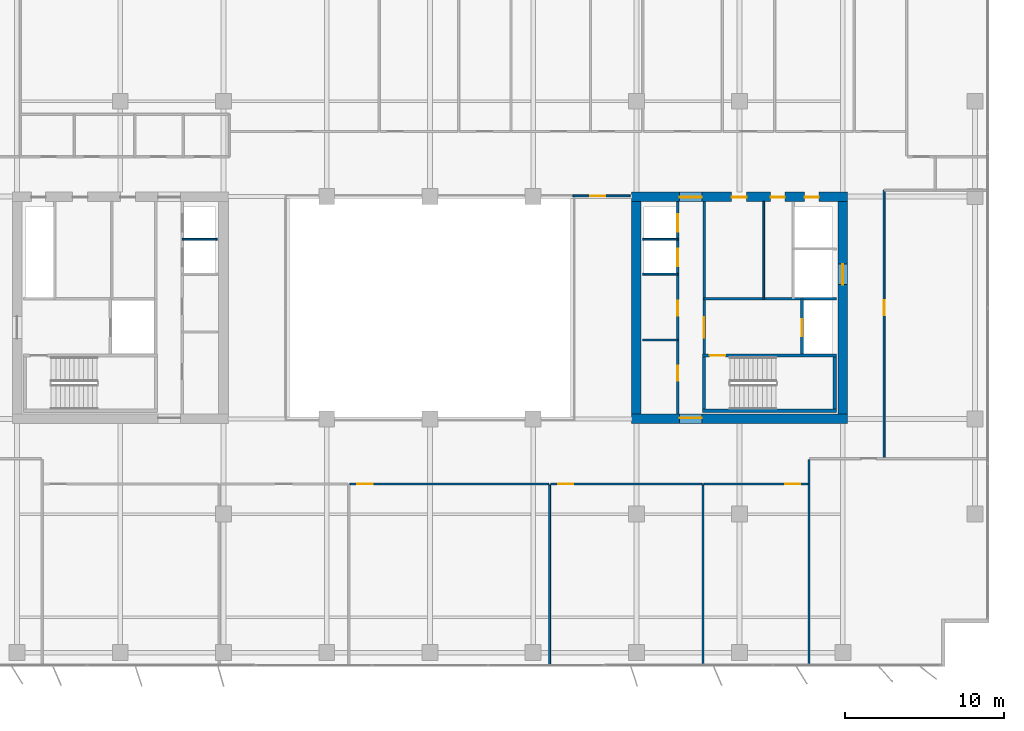
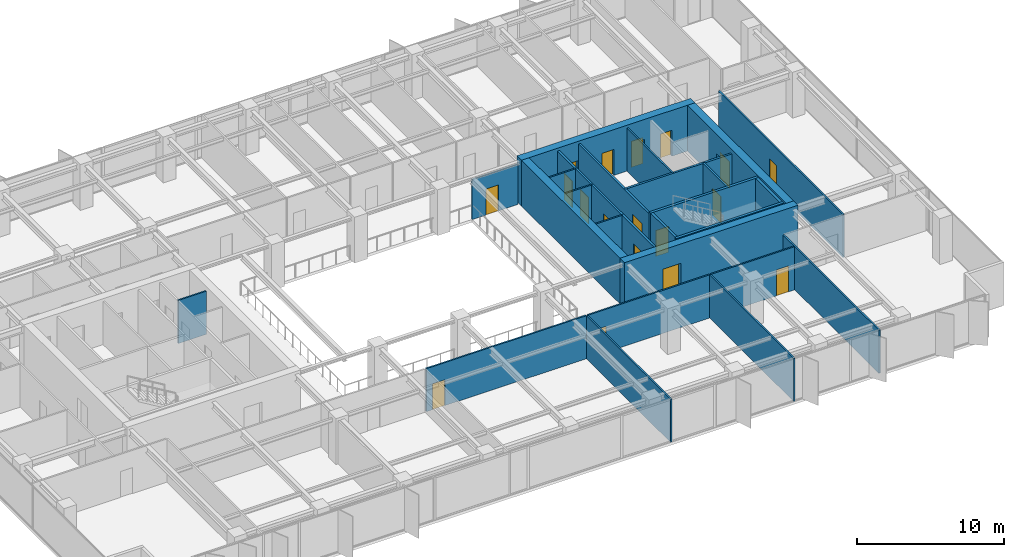
# One storey, part 16 of 22: 25 walls, 18 doors, 18 openings.
"""IFC4 building model written with IfcOpenShell, lengths in metres."""

from ifc_helpers import new_model, si_unit, direction, frame, frame_2d, origin, place, context, subcontext, project, spatial, rectangle, extrude, material, layer, layer_set, type_object, element, fill, save


model = new_model("IFC4")

# Units and contexts
model_context = context("Model", 3, precision=1e-05, world=origin(), true_north=direction((0.0, 1.0)))
body_context = subcontext(model_context, "Body", "Model", "MODEL_VIEW")
ifc_project = project(units=[si_unit("LENGTHUNIT", "METRE"), si_unit("AREAUNIT", "SQUARE_METRE"), si_unit("VOLUMEUNIT", "CUBIC_METRE"), si_unit("PLANEANGLEUNIT", "RADIAN"), si_unit("MASSUNIT", "GRAM", prefix="KILO")], contexts=[model_context])

# Site, building, storey
site_placement = place(None, origin())
site = spatial("IfcSite", under=ifc_project, at=site_placement, CompositionType="ELEMENT")
building_placement = place(site_placement, origin())
building = spatial("IfcBuilding", under=site, at=building_placement, Name="Putna Gate Headquarters", CompositionType="ELEMENT")
storey_placement = place(building_placement, frame((0.0, 0.0, 189.800048828125)))
storey = spatial("IfcBuildingStorey", under=building, at=storey_placement, Name="L47", CompositionType="ELEMENT", Elevation=189.800048828125)

# Wall, opening, door
ifc_material_1 = material(Name="Concrete C50/60", Category="concrete")
ifc_layer_1 = layer(ifc_material_1, 0.60009765625)
ifc_layer_set_1 = layer_set([ifc_layer_1], Name="Concrete C50/60")
wall_type_1 = type_object("IfcWallType", Name="WALL-CORE-600", PredefinedType="SHEAR", material=ifc_layer_set_1)
wall_1_placement = place(storey_placement, frame((51.699951171875, 19.0, 0.0), z_axis=(0.0, 0.0, 1.0), x_axis=(1.0, 0.0, 0.0)))
wall_1 = element("IfcWall", 1, at=wall_1_placement, inside=storey, type_object=wall_type_1, Name="L47 EC Split Core Shear Wall S", PredefinedType="SHEAR", context=body_context, shape_type="SweptSolid", body=[
    extrude(rectangle(XDim=13.60009765625, YDim=0.60009765625, at=frame_2d((6.800048828125, 0.0))), origin(), (0.0, 0.0, 1.0), 3.800048828125),
])
opening_1_placement = place(wall_1_placement, frame((3.02001953125, 0.0, 0.0)))
opening_1 = element("IfcOpeningElement", 2, at=opening_1_placement, cuts=wall_1, Name="Opening FDD-140", PredefinedType="OPENING", context=body_context, shape_type="SweptSolid", body=[
    extrude(rectangle(XDim=1.39990234375, YDim=2.199951171875, at=frame_2d((0.699951171875, 1.10009765625))), frame((0.0, 0.31005859375, 0.0), z_axis=(0.0, -1.0, 0.0), x_axis=(1.0, 0.0, 0.0)), (0.0, 0.0, 1.0), 0.6201171875),
])
ifc_material_2 = material(Name="Double steel fire door", Category="steel")
door_type_1 = type_object("IfcDoorType", Name="DOOR-FIRE-DBL-1400", OperationType="DOUBLE_DOOR_SINGLE_SWING", PredefinedType="DOOR", material=ifc_material_2)
door_1_placement = place(opening_1_placement, origin())
door_1 = element("IfcDoor", 3, at=door_1_placement, inside=storey, type_object=door_type_1, Name="L47 East Lift Lobby South Door", OperationType="DOUBLE_DOOR_SINGLE_SWING", OverallHeight=2.199951171875, OverallWidth=1.39990234375, PredefinedType="DOOR", context=body_context, shape_type="SweptSolid", body=[
    extrude(rectangle(XDim=1.39990234375, YDim=2.199951171875, at=frame_2d((0.699951171875, 1.10009765625))), frame((0.0, 0.0751953125, 0.0), z_axis=(0.0, -1.0, 0.0), x_axis=(1.0, 0.0, 0.0)), (0.0, 0.0, 1.0), 0.050048828125),
])
fill(opening_1, door_1)

# Wall, openings, doors
wall_2_placement = place(storey_placement, frame((51.699951171875, 33.0, 0.0), z_axis=(0.0, 0.0, 1.0), x_axis=(1.0, 0.0, 0.0)))
wall_2 = element("IfcWall", 4, at=wall_2_placement, inside=storey, type_object=wall_type_1, Name="L47 EC Split Core Shear Wall N", PredefinedType="SHEAR", context=body_context, shape_type="SweptSolid", body=[
    extrude(rectangle(XDim=13.60009765625, YDim=0.60009765625, at=frame_2d((6.800048828125, 0.0))), origin(), (0.0, 0.0, 1.0), 3.800048828125),
])
opening_2_placement = place(wall_2_placement, frame((3.02001953125, 0.0, 0.0)))
opening_2 = element("IfcOpeningElement", 5, at=opening_2_placement, cuts=wall_2, Name="Opening FDD-140", PredefinedType="OPENING", context=body_context, shape_type="SweptSolid", body=[
    extrude(rectangle(XDim=1.39990234375, YDim=2.199951171875, at=frame_2d((0.699951171875, 1.10009765625))), frame((0.0, 0.31005859375, 0.0), z_axis=(0.0, -1.0, 0.0), x_axis=(1.0, 0.0, 0.0)), (0.0, 0.0, 1.0), 0.6201171875),
])
opening_3_placement = place(wall_2_placement, frame((10.89990234375, 0.0, 0.0)))
opening_3 = element("IfcOpeningElement", 6, at=opening_3_placement, cuts=wall_2, Name="Opening RD-90", PredefinedType="OPENING", context=body_context, shape_type="SweptSolid", body=[
    extrude(rectangle(XDim=0.89990234375, YDim=2.14990234375, at=frame_2d((0.449951171875, 1.074951171875))), frame((0.0, 0.31005859375, 0.0), z_axis=(0.0, -1.0, 0.0), x_axis=(1.0, 0.0, 0.0)), (0.0, 0.0, 1.0), 0.6201171875),
])
opening_4_placement = place(wall_2_placement, frame((6.300048828125, 0.0, 0.0)))
opening_4 = element("IfcOpeningElement", 7, at=opening_4_placement, cuts=wall_2, Name="Opening IDS-95", PredefinedType="OPENING", context=body_context, shape_type="SweptSolid", body=[
    extrude(rectangle(XDim=0.949951171875, YDim=2.14990234375, at=frame_2d((0.47509765625, 1.074951171875))), frame((0.0, 0.31005859375, 0.0), z_axis=(0.0, -1.0, 0.0), x_axis=(1.0, 0.0, 0.0)), (0.0, 0.0, 1.0), 0.6201171875),
])
opening_5_placement = place(wall_2_placement, frame((8.75, 0.0, 0.0)))
opening_5 = element("IfcOpeningElement", 8, at=opening_5_placement, cuts=wall_2, Name="Opening IDS-90", PredefinedType="OPENING", context=body_context, shape_type="SweptSolid", body=[
    extrude(rectangle(XDim=0.89990234375, YDim=2.14990234375, at=frame_2d((0.449951171875, 1.074951171875))), frame((0.0, 0.31005859375, 0.0), z_axis=(0.0, -1.0, 0.0), x_axis=(1.0, 0.0, 0.0)), (0.0, 0.0, 1.0), 0.6201171875),
])
door_2_placement = place(opening_2_placement, origin())
door_2 = element("IfcDoor", 9, at=door_2_placement, inside=storey, type_object=door_type_1, Name="L47 East Lift Lobby North Door", OperationType="DOUBLE_DOOR_SINGLE_SWING", OverallHeight=2.199951171875, OverallWidth=1.39990234375, PredefinedType="DOOR", context=body_context, shape_type="SweptSolid", body=[
    extrude(rectangle(XDim=1.39990234375, YDim=2.199951171875, at=frame_2d((0.699951171875, 1.10009765625))), frame((0.0, -0.02490234375, 0.0), z_axis=(0.0, -1.0, 0.0), x_axis=(1.0, 0.0, 0.0)), (0.0, 0.0, 1.0), 0.050048828125),
])
fill(opening_2, door_2)
ifc_material_3 = material(Name="Fire-rated utility door")
door_type_2 = type_object("IfcDoorType", Name="DOOR-INT-900", OperationType="NOTDEFINED", PredefinedType="DOOR", material=ifc_material_3)
door_3_placement = place(opening_5_placement, origin())
door_3 = element("IfcDoor", 10, at=door_3_placement, inside=storey, type_object=door_type_2, Name="L47 Electrical Plant Door", OperationType="SINGLE_SWING_LEFT", OverallHeight=2.14990234375, OverallWidth=0.89990234375, PredefinedType="DOOR", context=body_context, shape_type="SweptSolid", body=[
    extrude(rectangle(XDim=0.89990234375, YDim=2.14990234375, at=frame_2d((0.449951171875, 1.074951171875))), frame((0.0, -0.02490234375, 0.0), z_axis=(0.0, -1.0, 0.0), x_axis=(1.0, 0.0, 0.0)), (0.0, 0.0, 1.0), 0.050048828125),
])
fill(opening_5, door_3)
ifc_material_4 = material(Name="Fire-rated service timber door", Category="wood")
door_type_3 = type_object("IfcDoorType", Name="DOOR-INT-950", OperationType="NOTDEFINED", PredefinedType="DOOR", material=ifc_material_4)
door_4_placement = place(opening_4_placement, origin())
door_4 = element("IfcDoor", 11, at=door_4_placement, inside=storey, type_object=door_type_3, Name="L47 East Store Door", OperationType="SINGLE_SWING_RIGHT", OverallHeight=2.14990234375, OverallWidth=0.949951171875, PredefinedType="DOOR", context=body_context, shape_type="SweptSolid", body=[
    extrude(rectangle(XDim=0.949951171875, YDim=2.14990234375, at=frame_2d((0.47509765625, 1.074951171875))), frame((0.0, -0.02490234375, 0.0), z_axis=(0.0, -1.0, 0.0), x_axis=(1.0, 0.0, 0.0)), (0.0, 0.0, 1.0), 0.050048828125),
])
fill(opening_4, door_4)
ifc_material_5 = material(Name="Steel riser access fire door", Category="steel")
door_type_4 = type_object("IfcDoorType", Name="DOOR-RISER-900", OperationType="NOTDEFINED", PredefinedType="DOOR", material=ifc_material_5)
door_5_placement = place(opening_3_placement, origin())
door_5 = element("IfcDoor", 12, at=door_5_placement, inside=storey, type_object=door_type_4, Name="L47 East Riser Access Door", OperationType="SINGLE_SWING_LEFT", OverallHeight=2.14990234375, OverallWidth=0.89990234375, PredefinedType="DOOR", context=body_context, shape_type="SweptSolid", body=[
    extrude(rectangle(XDim=0.89990234375, YDim=2.14990234375, at=frame_2d((0.449951171875, 1.074951171875))), frame((0.0, -0.02490234375, 0.0), z_axis=(0.0, -1.0, 0.0), x_axis=(1.0, 0.0, 0.0)), (0.0, 0.0, 1.0), 0.050048828125),
])
fill(opening_3, door_5)

# Wall
wall_3_placement = place(storey_placement, frame((52.0, 19.300048828125, 0.0), z_axis=(0.0, 0.0, 1.0), x_axis=(0.0, 1.0, 0.0)))
element("IfcWall", 13, at=wall_3_placement, inside=storey, type_object=wall_type_1, Name="L47 EC Split Core Shear Wall W", PredefinedType="SHEAR", context=body_context, shape_type="SweptSolid", body=[
    extrude(rectangle(XDim=13.39990234375, YDim=0.60009765625, at=frame_2d((6.699951171875, 0.0))), origin(), (0.0, 0.0, 1.0), 3.800048828125),
])

# Wall, opening, door
wall_4_placement = place(storey_placement, frame((65.0, 19.300048828125, 0.0), z_axis=(0.0, 0.0, 1.0), x_axis=(0.0, 1.0, 0.0)))
wall_4 = element("IfcWall", 14, at=wall_4_placement, inside=storey, type_object=wall_type_1, Name="L47 EC Split Core Shear Wall E", PredefinedType="SHEAR", context=body_context, shape_type="SweptSolid", body=[
    extrude(rectangle(XDim=13.39990234375, YDim=0.60009765625, at=frame_2d((6.699951171875, 0.0))), origin(), (0.0, 0.0, 1.0), 3.800048828125),
])
opening_6_placement = place(wall_4_placement, frame((8.14990234375, 0.0, 0.0)))
opening_6 = element("IfcOpeningElement", 15, at=opening_6_placement, cuts=wall_4, Name="Opening LD-2", PredefinedType="OPENING", context=body_context, shape_type="SweptSolid", body=[
    extrude(rectangle(XDim=1.300048828125, YDim=2.199951171875, at=frame_2d((0.64990234375, 1.10009765625))), frame((0.0, 0.31005859375, 0.0), z_axis=(0.0, -1.0, 0.0), x_axis=(1.0, 0.0, 0.0)), (0.0, 0.0, 1.0), 0.6201171875),
])
ifc_material_6 = material(Name="Heavy-duty goods lift sliding landing door")
door_type_5 = type_object("IfcDoorType", Name="DOOR-LIFT-1300", OperationType="DOUBLE_DOOR_SLIDING", PredefinedType="DOOR", material=ifc_material_6)
door_6_placement = place(opening_6_placement, origin())
door_6 = element("IfcDoor", 16, at=door_6_placement, inside=storey, type_object=door_type_5, Name="L47 Goods Lift Landing Door LD-15", OperationType="DOUBLE_DOOR_SLIDING", OverallHeight=2.199951171875, OverallWidth=1.300048828125, PredefinedType="DOOR", context=body_context, shape_type="SweptSolid", body=[
    extrude(rectangle(XDim=1.300048828125, YDim=2.199951171875, at=frame_2d((0.64990234375, 1.10009765625))), frame((0.0, 0.02490234375, 0.0), z_axis=(0.0, -1.0, 0.0), x_axis=(1.0, 0.0, 0.0)), (0.0, 0.0, 1.0), 0.050048828125),
])
fill(opening_6, door_6)

ifc_material_7 = material(Name="Acoustic gypsum board on metal stud")
ifc_layer_2 = layer(ifc_material_7, 0.1201171875)
ifc_layer_set_2 = layer_set([ifc_layer_2], Name="Acoustic gypsum board on metal stud")
wall_type_2 = type_object("IfcWallType", Name="WALL-PART-120", PredefinedType="PARTITIONING", material=ifc_layer_set_2)
wall_5_placement = place(storey_placement, frame((48.0, 33.0400390625, 0.0), z_axis=(0.0, 0.0, 1.0), x_axis=(1.0, 0.0, 0.0)))
wall_5 = element("IfcWall", 17, at=wall_5_placement, inside=storey, type_object=wall_type_2, Name="L47 Interior Wall PART-L47-ATR-E-N", PredefinedType="PARTITIONING", context=body_context, shape_type="SweptSolid", body=[
    extrude(rectangle(XDim=3.60009765625, YDim=0.1201171875, at=frame_2d((1.800048828125, 0.0))), origin(), (0.0, 0.0, 1.0), 3.31201171875),
])
opening_7_placement = place(wall_5_placement, frame((1.10009765625, 0.0, 0.0)))
opening_7 = element("IfcOpeningElement", 18, at=opening_7_placement, cuts=wall_5, Name="Opening ID-95", PredefinedType="OPENING", context=body_context, shape_type="SweptSolid", body=[
    extrude(rectangle(XDim=0.949951171875, YDim=2.14990234375, at=frame_2d((0.47509765625, 1.074951171875))), frame((0.0, 0.070068359375, 0.0), z_axis=(0.0, -1.0, 0.0), x_axis=(1.0, 0.0, 0.0)), (0.0, 0.0, 1.0), 0.14013671875),
])
ifc_material_8 = material(Name="Veneered acoustic timber door", Category="wood")
door_type_6 = type_object("IfcDoorType", Name="DOOR-OFF-950", OperationType="NOTDEFINED", PredefinedType="DOOR", material=ifc_material_8)
door_7_placement = place(opening_7_placement, origin())
door_7 = element("IfcDoor", 19, at=door_7_placement, inside=storey, type_object=door_type_6, Name="L47 East Sky Atrium Lounge Door", OperationType="SINGLE_SWING_LEFT", OverallHeight=2.14990234375, OverallWidth=0.949951171875, PredefinedType="DOOR", context=body_context, shape_type="SweptSolid", body=[
    extrude(rectangle(XDim=0.949951171875, YDim=2.14990234375, at=frame_2d((0.47509765625, 1.074951171875))), frame((0.0, 0.02490234375, 0.0), z_axis=(0.0, -1.0, 0.0), x_axis=(1.0, 0.0, 0.0)), (0.0, 0.0, 1.0), 0.050048828125),
])
fill(opening_7, door_7)

# Walls
for number, where, z_axis, x_axis, name in (
    (20, (46.536376953125, 3.419921875, 0.0), (0.0, 0.0, 1.0), (0.0, 1.0, 0.0), "L47 Interior Wall PART-L47-SB-DIV-04"),
    (21, (56.19482421875, 3.419921875, 0.0), (0.0, 0.0, 1.0), (0.0, 1.0, 0.0), "L47 Interior Wall PART-L47-SB-DIV-05"),
):
    element("IfcWall", number, at=place(storey_placement, frame(where, z_axis=z_axis, x_axis=x_axis)), inside=storey, type_object=wall_type_2, Name=name, PredefinedType="PARTITIONING", context=body_context, shape_type="SweptSolid", body=[
        extrude(rectangle(XDim=11.420166015625, YDim=0.1201171875, at=frame_2d((5.7099609375, 0.0))), origin(), (0.0, 0.0, 1.0), 3.572021484375),
    ])
wall_6_placement = place(storey_placement, frame((62.86962890625, 3.419921875, 0.0), z_axis=(0.0, 0.0, 1.0), x_axis=(0.0, 1.0, 0.0)))
element("IfcWall", 22, at=wall_6_placement, inside=storey, type_object=wall_type_2, Name="L47 Interior Wall PART-L47-SB-DIV-06", PredefinedType="PARTITIONING", context=body_context, shape_type="SweptSolid", body=[
    extrude(rectangle(XDim=13.02001953125, YDim=0.1201171875, at=frame_2d((6.510009765625, 0.0))), origin(), (0.0, 0.0, 1.0), 3.572021484375),
])
ifc_material_9 = material(Name="Fire-rated shaftwall gypsum board on metal stud")
ifc_layer_3 = layer(ifc_material_9, 0.1201171875)
ifc_layer_set_3 = layer_set([ifc_layer_3], Name="Fire-rated shaftwall gypsum board on metal stud")
wall_type_3 = type_object("IfcWallType", Name="WALL-PART-120-EI120", PredefinedType="PARTITIONING", material=ifc_layer_set_3)
for number, where, z_axis, x_axis, name in (
    (23, (23.39990234375, 30.31005859375, 0.0), (0.0, 0.0, 1.0), (1.0, 0.0, 0.0), "L47 Interior Wall CWINT-L47-WC-LF09-DIV"),
    (24, (52.39990234375, 30.31005859375, 0.0), (0.0, 0.0, 1.0), (1.0, 0.0, 0.0), "L47 Interior Wall CWINT-L47-EC-LF11-DIV"),
):
    element("IfcWall", number, at=place(storey_placement, frame(where, z_axis=z_axis, x_axis=x_axis)), inside=storey, type_object=wall_type_3, Name=name, PredefinedType="PARTITIONING", context=body_context, shape_type="SweptSolid", body=[
        extrude(rectangle(XDim=2.2001953125, YDim=0.1201171875, at=frame_2d((1.10009765625, 0.0))), origin(), (0.0, 0.0, 1.0), 3.572021484375),
    ])
ifc_material_10 = material(Name="Fire-rated gypsum board on metal stud")
ifc_layer_4 = layer(ifc_material_10, 0.1201171875)
ifc_layer_set_4 = layer_set([ifc_layer_4], Name="Fire-rated gypsum board on metal stud")
wall_type_4 = type_object("IfcWallType", Name="WALL-PART-120-RATED", PredefinedType="PARTITIONING", material=ifc_layer_set_4)
for number, where, z_axis, x_axis, name in (
    (25, (52.39990234375, 23.969970703125, 0.0), (0.0, 0.0, 1.0), (1.0, 0.0, 0.0), "L47 Interior Wall CWINT-L47-EC-REUSE-DIV"),
    (26, (52.39990234375, 28.1201171875, 0.0), (0.0, 0.0, 1.0), (1.0, 0.0, 0.0), "L47 Interior Wall CWINT-L47-EC-LF08-DIV"),
):
    element("IfcWall", number, at=place(storey_placement, frame(where, z_axis=z_axis, x_axis=x_axis)), inside=storey, type_object=wall_type_4, Name=name, PredefinedType="PARTITIONING", context=body_context, shape_type="SweptSolid", body=[
        extrude(rectangle(XDim=2.2001953125, YDim=0.1201171875, at=frame_2d((1.10009765625, 0.0))), origin(), (0.0, 0.0, 1.0), 3.572021484375),
    ])
wall_7_placement = place(storey_placement, frame((60.02001953125, 26.56005859375, 0.0), z_axis=(0.0, 0.0, 1.0), x_axis=(0.0, 1.0, 0.0)))
element("IfcWall", 27, at=wall_7_placement, inside=storey, type_object=wall_type_4, Name="L47 Interior Wall CWINT-L47-EC-K0-DIV", PredefinedType="PARTITIONING", context=body_context, shape_type="SweptSolid", body=[
    extrude(rectangle(XDim=6.139892578125, YDim=0.1201171875, at=frame_2d((3.06982421875, 0.0))), origin(), (0.0, 0.0, 1.0), 3.572021484375),
])

# Wall, opening, door
wall_8_placement = place(storey_placement, frame((33.9541015625, 14.89990234375, 0.0), z_axis=(0.0, 0.0, 1.0), x_axis=(1.0, 0.0, 0.0)))
wall_8 = element("IfcWall", 28, at=wall_8_placement, inside=storey, type_object=wall_type_4, Name="L47 Interior Wall PART-L47-SB-CW-04", PredefinedType="PARTITIONING", context=body_context, shape_type="SweptSolid", body=[
    extrude(rectangle(XDim=12.522216796875, YDim=0.1201171875, at=frame_2d((6.26123046875, 0.0))), origin(), (0.0, 0.0, 1.0), 3.572021484375),
])
opening_8_placement = place(wall_8_placement, frame((0.47998046875, 0.0, 0.0)))
opening_8 = element("IfcOpeningElement", 29, at=opening_8_placement, cuts=wall_8, Name="Opening FD-95", PredefinedType="OPENING", context=body_context, shape_type="SweptSolid", body=[
    extrude(rectangle(XDim=0.949951171875, YDim=2.14990234375, at=frame_2d((0.47509765625, 1.074951171875))), frame((0.0, 0.070068359375, 0.0), z_axis=(0.0, -1.0, 0.0), x_axis=(1.0, 0.0, 0.0)), (0.0, 0.0, 1.0), 0.14013671875),
])
ifc_material_11 = material(Name="Acoustic timber fire door", Category="wood")
door_type_7 = type_object("IfcDoorType", Name="DOOR-FIRE-950", OperationType="NOTDEFINED", PredefinedType="DOOR", material=ifc_material_11)
door_8_placement = place(opening_8_placement, origin())
door_8 = element("IfcDoor", 30, at=door_8_placement, inside=storey, type_object=door_type_7, Name="L47 Cellular Office 6 Door", OperationType="SINGLE_SWING_RIGHT", OverallHeight=2.14990234375, OverallWidth=0.949951171875, PredefinedType="DOOR", context=body_context, shape_type="SweptSolid", body=[
    extrude(rectangle(XDim=0.949951171875, YDim=2.14990234375, at=frame_2d((0.47509765625, 1.074951171875))), frame((0.0, 0.02490234375, 0.0), z_axis=(0.0, -1.0, 0.0), x_axis=(1.0, 0.0, 0.0)), (0.0, 0.0, 1.0), 0.050048828125),
])
fill(opening_8, door_8)

wall_9_placement = place(storey_placement, frame((46.59619140625, 14.89990234375, 0.0), z_axis=(0.0, 0.0, 1.0), x_axis=(1.0, 0.0, 0.0)))
wall_9 = element("IfcWall", 31, at=wall_9_placement, inside=storey, type_object=wall_type_4, Name="L47 Interior Wall PART-L47-SB-CW-05", PredefinedType="PARTITIONING", context=body_context, shape_type="SweptSolid", body=[
    extrude(rectangle(XDim=9.53857421875, YDim=0.1201171875, at=frame_2d((4.769287109375, 0.0))), origin(), (0.0, 0.0, 1.0), 3.572021484375),
])
opening_9_placement = place(wall_9_placement, frame((0.47998046875, 0.0, 0.0)))
opening_9 = element("IfcOpeningElement", 32, at=opening_9_placement, cuts=wall_9, Name="Opening FD-95", PredefinedType="OPENING", context=body_context, shape_type="SweptSolid", body=[
    extrude(rectangle(XDim=0.949951171875, YDim=2.14990234375, at=frame_2d((0.47509765625, 1.074951171875))), frame((0.0, 0.070068359375, 0.0), z_axis=(0.0, -1.0, 0.0), x_axis=(1.0, 0.0, 0.0)), (0.0, 0.0, 1.0), 0.14013671875),
])
door_9_placement = place(opening_9_placement, origin())
door_9 = element("IfcDoor", 33, at=door_9_placement, inside=storey, type_object=door_type_7, Name="L47 Conference Meeting Room 1 Door", OperationType="SINGLE_SWING_LEFT", OverallHeight=2.14990234375, OverallWidth=0.949951171875, PredefinedType="DOOR", context=body_context, shape_type="SweptSolid", body=[
    extrude(rectangle(XDim=0.949951171875, YDim=2.14990234375, at=frame_2d((0.47509765625, 1.074951171875))), frame((0.0, 0.02490234375, 0.0), z_axis=(0.0, -1.0, 0.0), x_axis=(1.0, 0.0, 0.0)), (0.0, 0.0, 1.0), 0.050048828125),
])
fill(opening_9, door_9)

wall_10_placement = place(storey_placement, frame((56.2548828125, 14.89990234375, 0.0), z_axis=(0.0, 0.0, 1.0), x_axis=(1.0, 0.0, 0.0)))
wall_10 = element("IfcWall", 34, at=wall_10_placement, inside=storey, type_object=wall_type_4, Name="L47 Interior Wall PART-L47-SB-CW-06", PredefinedType="PARTITIONING", context=body_context, shape_type="SweptSolid", body=[
    extrude(rectangle(XDim=6.5546875, YDim=0.1201171875, at=frame_2d((3.27734375, 0.0))), origin(), (0.0, 0.0, 1.0), 3.572021484375),
])
opening_10_placement = place(wall_10_placement, frame((5.124755859375, 0.0, 0.0)))
opening_10 = element("IfcOpeningElement", 35, at=opening_10_placement, cuts=wall_10, Name="Opening FD-95", PredefinedType="OPENING", context=body_context, shape_type="SweptSolid", body=[
    extrude(rectangle(XDim=0.949951171875, YDim=2.14990234375, at=frame_2d((0.47509765625, 1.074951171875))), frame((0.0, 0.070068359375, 0.0), z_axis=(0.0, -1.0, 0.0), x_axis=(1.0, 0.0, 0.0)), (0.0, 0.0, 1.0), 0.14013671875),
])
door_10_placement = place(opening_10_placement, origin())
door_10 = element("IfcDoor", 36, at=door_10_placement, inside=storey, type_object=door_type_7, Name="L47 Conference Meeting Room 2 Door", OperationType="SINGLE_SWING_RIGHT", OverallHeight=2.14990234375, OverallWidth=0.949951171875, PredefinedType="DOOR", context=body_context, shape_type="SweptSolid", body=[
    extrude(rectangle(XDim=0.949951171875, YDim=2.14990234375, at=frame_2d((0.47509765625, 1.074951171875))), frame((0.0, 0.02490234375, 0.0), z_axis=(0.0, -1.0, 0.0), x_axis=(1.0, 0.0, 0.0)), (0.0, 0.0, 1.0), 0.050048828125),
])
fill(opening_10, door_10)

wall_11_placement = place(storey_placement, frame((67.60009765625, 16.5, 0.0), z_axis=(0.0, 0.0, 1.0), x_axis=(0.0, 1.0, 0.0)))
wall_11 = element("IfcWall", 37, at=wall_11_placement, inside=storey, type_object=wall_type_4, Name="L47 Interior Wall PART-L47-EW-CW-1", PredefinedType="PARTITIONING", context=body_context, shape_type="SweptSolid", body=[
    extrude(rectangle(XDim=16.89990234375, YDim=0.1201171875, at=frame_2d((8.449951171875, 0.0))), origin(), (0.0, 0.0, 1.0), 3.572021484375),
])
opening_11_placement = place(wall_11_placement, frame((9.02490234375, 0.0, 0.0)))
opening_11 = element("IfcOpeningElement", 38, at=opening_11_placement, cuts=wall_11, Name="Opening FD-95", PredefinedType="OPENING", context=body_context, shape_type="SweptSolid", body=[
    extrude(rectangle(XDim=0.949951171875, YDim=2.14990234375, at=frame_2d((0.47509765625, 1.074951171875))), frame((0.0, 0.070068359375, 0.0), z_axis=(0.0, -1.0, 0.0), x_axis=(1.0, 0.0, 0.0)), (0.0, 0.0, 1.0), 0.14013671875),
])
door_11_placement = place(opening_11_placement, origin())
door_11 = element("IfcDoor", 39, at=door_11_placement, inside=storey, type_object=door_type_7, Name="L47 East Horizon Conference Room 1 Door", OperationType="SINGLE_SWING_LEFT", OverallHeight=2.14990234375, OverallWidth=0.949951171875, PredefinedType="DOOR", context=body_context, shape_type="SweptSolid", body=[
    extrude(rectangle(XDim=0.949951171875, YDim=2.14990234375, at=frame_2d((0.47509765625, 1.074951171875))), frame((0.0, 0.02490234375, 0.0), z_axis=(0.0, -1.0, 0.0), x_axis=(1.0, 0.0, 0.0)), (0.0, 0.0, 1.0), 0.050048828125),
])
fill(opening_11, door_11)

# Wall, openings, doors
ifc_material_12 = material(Name="Concrete C40/50", Category="concrete")
ifc_layer_5 = layer(ifc_material_12, 0.159912109375)
ifc_layer_set_5 = layer_set([ifc_layer_5], Name="Concrete C40/50")
wall_type_5 = type_object("IfcWallType", Name="WALL-SHAFT-160", PredefinedType="STANDARD", material=ifc_layer_set_5)
wall_12_placement = place(storey_placement, frame((54.60009765625, 19.300048828125, 0.0), z_axis=(0.0, 0.0, 1.0), x_axis=(0.0, 1.0, 0.0)))
wall_12 = element("IfcWall", 40, at=wall_12_placement, inside=storey, type_object=wall_type_5, Name="L47 Interior Wall CWINT-L47-EC-PL-WALL", PredefinedType="STANDARD", context=body_context, shape_type="SweptSolid", body=[
    extrude(rectangle(XDim=13.39990234375, YDim=0.159912109375, at=frame_2d((6.699951171875, 0.0))), origin(), (0.0, 0.0, 1.0), 3.572021484375),
])
opening_12_placement = place(wall_12_placement, frame((2.10009765625, 0.0, 0.0)))
opening_12 = element("IfcOpeningElement", 41, at=opening_12_placement, cuts=wall_12, Name="Opening IDS-95", PredefinedType="OPENING", context=body_context, shape_type="SweptSolid", body=[
    extrude(rectangle(XDim=0.949951171875, YDim=2.14990234375, at=frame_2d((0.47509765625, 1.074951171875))), frame((0.0, 0.08984375, 0.0), z_axis=(0.0, -1.0, 0.0), x_axis=(1.0, 0.0, 0.0)), (0.0, 0.0, 1.0), 0.179931640625),
])
opening_13_placement = place(wall_12_placement, frame((6.199951171875, 0.0, 0.0)))
opening_13 = element("IfcOpeningElement", 42, at=opening_13_placement, cuts=wall_12, Name="Opening IDS-95", PredefinedType="OPENING", context=body_context, shape_type="SweptSolid", body=[
    extrude(rectangle(XDim=0.949951171875, YDim=2.14990234375, at=frame_2d((0.47509765625, 1.074951171875))), frame((0.0, 0.08984375, 0.0), z_axis=(0.0, -1.0, 0.0), x_axis=(1.0, 0.0, 0.0)), (0.0, 0.0, 1.0), 0.179931640625),
])
opening_14_placement = place(wall_12_placement, frame((9.300048828125, 0.0, 0.0)))
opening_14 = element("IfcOpeningElement", 43, at=opening_14_placement, cuts=wall_12, Name="Opening LD-1", PredefinedType="OPENING", context=body_context, shape_type="SweptSolid", body=[
    extrude(rectangle(XDim=1.10009765625, YDim=2.199951171875, at=frame_2d((0.550048828125, 1.10009765625))), frame((0.0, 0.08984375, 0.0), z_axis=(0.0, -1.0, 0.0), x_axis=(1.0, 0.0, 0.0)), (0.0, 0.0, 1.0), 0.179931640625),
])
opening_15_placement = place(wall_12_placement, frame((11.5, 0.0, 0.0)))
opening_15 = element("IfcOpeningElement", 44, at=opening_15_placement, cuts=wall_12, Name="Opening LD-1", PredefinedType="OPENING", context=body_context, shape_type="SweptSolid", body=[
    extrude(rectangle(XDim=1.10009765625, YDim=2.199951171875, at=frame_2d((0.550048828125, 1.10009765625))), frame((0.0, 0.08984375, 0.0), z_axis=(0.0, -1.0, 0.0), x_axis=(1.0, 0.0, 0.0)), (0.0, 0.0, 1.0), 0.179931640625),
])
door_12_placement = place(opening_12_placement, origin())
door_12 = element("IfcDoor", 45, at=door_12_placement, inside=storey, type_object=door_type_3, Name="L47 Executive Archive Door", OperationType="SINGLE_SWING_RIGHT", OverallHeight=2.14990234375, OverallWidth=0.949951171875, PredefinedType="DOOR", context=body_context, shape_type="SweptSolid", body=[
    extrude(rectangle(XDim=0.949951171875, YDim=2.14990234375, at=frame_2d((0.47509765625, 1.074951171875))), frame((0.0, 0.02490234375, 0.0), z_axis=(0.0, -1.0, 0.0), x_axis=(1.0, 0.0, 0.0)), (0.0, 0.0, 1.0), 0.050048828125),
])
fill(opening_12, door_12)
door_13_placement = place(opening_13_placement, origin())
door_13 = element("IfcDoor", 46, at=door_13_placement, inside=storey, type_object=door_type_3, Name="L47 Comms Distribution Door", OperationType="SINGLE_SWING_LEFT", OverallHeight=2.14990234375, OverallWidth=0.949951171875, PredefinedType="DOOR", context=body_context, shape_type="SweptSolid", body=[
    extrude(rectangle(XDim=0.949951171875, YDim=2.14990234375, at=frame_2d((0.47509765625, 1.074951171875))), frame((0.0, 0.02490234375, 0.0), z_axis=(0.0, -1.0, 0.0), x_axis=(1.0, 0.0, 0.0)), (0.0, 0.0, 1.0), 0.050048828125),
])
fill(opening_13, door_13)
ifc_material_13 = material(Name="Brushed bronze stainless lift landing door")
door_type_8 = type_object("IfcDoorType", Name="DOOR-LIFT-1100", OperationType="DOUBLE_DOOR_SLIDING", PredefinedType="DOOR", material=ifc_material_13)
door_14_placement = place(opening_14_placement, origin())
door_14 = element("IfcDoor", 47, at=door_14_placement, inside=storey, type_object=door_type_8, Name="L47 Lift Landing Door LD-11", OperationType="DOUBLE_DOOR_SLIDING", OverallHeight=2.199951171875, OverallWidth=1.10009765625, PredefinedType="DOOR", context=body_context, shape_type="SweptSolid", body=[
    extrude(rectangle(XDim=1.10009765625, YDim=2.199951171875, at=frame_2d((0.550048828125, 1.10009765625))), frame((0.0, 0.02490234375, 0.0), z_axis=(0.0, -1.0, 0.0), x_axis=(1.0, 0.0, 0.0)), (0.0, 0.0, 1.0), 0.050048828125),
])
fill(opening_14, door_14)
door_15_placement = place(opening_15_placement, origin())
door_15 = element("IfcDoor", 48, at=door_15_placement, inside=storey, type_object=door_type_8, Name="L47 Lift Landing Door LD-12", OperationType="DOUBLE_DOOR_SLIDING", OverallHeight=2.199951171875, OverallWidth=1.10009765625, PredefinedType="DOOR", context=body_context, shape_type="SweptSolid", body=[
    extrude(rectangle(XDim=1.10009765625, YDim=2.199951171875, at=frame_2d((0.550048828125, 1.10009765625))), frame((0.0, 0.02490234375, 0.0), z_axis=(0.0, -1.0, 0.0), x_axis=(1.0, 0.0, 0.0)), (0.0, 0.0, 1.0), 0.050048828125),
])
fill(opening_15, door_15)

# Wall, opening, door
wall_13_placement = place(storey_placement, frame((56.260009765625, 23.090087890625, 0.0), z_axis=(0.0, 0.0, 1.0), x_axis=(0.0, 1.0, 0.0)))
wall_13 = element("IfcWall", 49, at=wall_13_placement, inside=storey, type_object=wall_type_5, Name="L47 Interior Wall CWINT-L47-EC-LOB-E", PredefinedType="STANDARD", context=body_context, shape_type="SweptSolid", body=[
    extrude(rectangle(XDim=9.60986328125, YDim=0.159912109375, at=frame_2d((4.804931640625, 0.0))), origin(), (0.0, 0.0, 1.0), 3.572021484375),
])
opening_16_placement = place(wall_13_placement, frame((1.010009765625, 0.0, 0.0)))
opening_16 = element("IfcOpeningElement", 50, at=opening_16_placement, cuts=wall_13, Name="Opening FDD-130", PredefinedType="OPENING", context=body_context, shape_type="SweptSolid", body=[
    extrude(rectangle(XDim=1.300048828125, YDim=2.199951171875, at=frame_2d((0.64990234375, 1.10009765625))), frame((0.0, 0.08984375, 0.0), z_axis=(0.0, -1.0, 0.0), x_axis=(1.0, 0.0, 0.0)), (0.0, 0.0, 1.0), 0.179931640625),
])
ifc_material_14 = material(Name="Double steel lobby fire door", Category="steel")
door_type_9 = type_object("IfcDoorType", Name="DOOR-FIRE-DBL-1300", OperationType="DOUBLE_DOOR_SINGLE_SWING", PredefinedType="DOOR", material=ifc_material_14)
door_16_placement = place(opening_16_placement, origin())
door_16 = element("IfcDoor", 51, at=door_16_placement, inside=storey, type_object=door_type_9, Name="L47 East Firefighting Lobby Door", OperationType="DOUBLE_DOOR_SINGLE_SWING", OverallHeight=2.199951171875, OverallWidth=1.300048828125, PredefinedType="DOOR", context=body_context, shape_type="SweptSolid", body=[
    extrude(rectangle(XDim=1.300048828125, YDim=2.199951171875, at=frame_2d((0.64990234375, 1.10009765625))), frame((0.0, 0.02490234375, 0.0), z_axis=(0.0, -1.0, 0.0), x_axis=(1.0, 0.0, 0.0)), (0.0, 0.0, 1.0), 0.050048828125),
])
fill(opening_16, door_16)

wall_14_placement = place(storey_placement, frame((62.429931640625, 23.090087890625, 0.0), z_axis=(0.0, 0.0, 1.0), x_axis=(0.0, 1.0, 0.0)))
wall_14 = element("IfcWall", 52, at=wall_14_placement, inside=storey, type_object=wall_type_5, Name="L47 Interior Wall CWINT-L47-EC-LF14-W", PredefinedType="STANDARD", context=body_context, shape_type="SweptSolid", body=[
    extrude(rectangle(XDim=3.469970703125, YDim=0.159912109375, at=frame_2d((1.73486328125, 0.0))), origin(), (0.0, 0.0, 1.0), 3.572021484375),
])
opening_17_placement = place(wall_14_placement, frame((1.10009765625, 0.0, 0.0)))
opening_17 = element("IfcOpeningElement", 53, at=opening_17_placement, cuts=wall_14, Name="Opening LD-1", PredefinedType="OPENING", context=body_context, shape_type="SweptSolid", body=[
    extrude(rectangle(XDim=1.10009765625, YDim=2.199951171875, at=frame_2d((0.550048828125, 1.10009765625))), frame((0.0, 0.08984375, 0.0), z_axis=(0.0, -1.0, 0.0), x_axis=(1.0, 0.0, 0.0)), (0.0, 0.0, 1.0), 0.179931640625),
])
door_17_placement = place(opening_17_placement, origin())
door_17 = element("IfcDoor", 54, at=door_17_placement, inside=storey, type_object=door_type_8, Name="L47 Lift Landing Door LD-14", OperationType="DOUBLE_DOOR_SLIDING", OverallHeight=2.199951171875, OverallWidth=1.10009765625, PredefinedType="DOOR", context=body_context, shape_type="SweptSolid", body=[
    extrude(rectangle(XDim=1.10009765625, YDim=2.199951171875, at=frame_2d((0.550048828125, 1.10009765625))), frame((0.0, 0.02490234375, 0.0), z_axis=(0.0, -1.0, 0.0), x_axis=(1.0, 0.0, 0.0)), (0.0, 0.0, 1.0), 0.050048828125),
])
fill(opening_17, door_17)

# Walls
wall_15_placement = place(storey_placement, frame((56.260009765625, 26.56005859375, 0.0), z_axis=(0.0, 0.0, 1.0), x_axis=(1.0, 0.0, 0.0)))
element("IfcWall", 55, at=wall_15_placement, inside=storey, type_object=wall_type_5, Name="L47 Interior Wall CWINT-L47-EC-FFL-N", PredefinedType="STANDARD", context=body_context, shape_type="SweptSolid", body=[
    extrude(rectangle(XDim=8.340087890625, YDim=0.159912109375, at=frame_2d((4.169921875, 0.0))), origin(), (0.0, 0.0, 1.0), 3.572021484375),
])
ifc_layer_6 = layer(ifc_material_12, 0.199951171875)
ifc_layer_set_6 = layer_set([ifc_layer_6], Name="Concrete C40/50")
wall_type_6 = type_object("IfcWallType", Name="WALL-SHAFT-RC200", PredefinedType="SHEAR", material=ifc_layer_set_6)
wall_16_placement = place(storey_placement, frame((56.159912109375, 19.510009765625, 0.0), z_axis=(0.0, 0.0, 1.0), x_axis=(1.0, 0.0, 0.0)))
element("IfcWall", 56, at=wall_16_placement, inside=storey, type_object=wall_type_6, Name="L47 Stair ST2 Structural Shaft Wall S", PredefinedType="SHEAR", context=body_context, shape_type="SweptSolid", body=[
    extrude(rectangle(XDim=8.43017578125, YDim=0.199951171875, at=frame_2d((4.215087890625, 0.0))), origin(), (0.0, 0.0, 1.0), 3.800048828125),
])

# Wall, opening, door
wall_17_placement = place(storey_placement, frame((56.159912109375, 22.989990234375, 0.0), z_axis=(0.0, 0.0, 1.0), x_axis=(1.0, 0.0, 0.0)))
wall_17 = element("IfcWall", 57, at=wall_17_placement, inside=storey, type_object=wall_type_6, Name="L47 Stair ST2 Structural Shaft Wall N", PredefinedType="SHEAR", context=body_context, shape_type="SweptSolid", body=[
    extrude(rectangle(XDim=8.43017578125, YDim=0.199951171875, at=frame_2d((4.215087890625, 0.0))), origin(), (0.0, 0.0, 1.0), 3.800048828125),
])
opening_18_placement = place(wall_17_placement, frame((0.449951171875, 0.0, 0.0)))
opening_18 = element("IfcOpeningElement", 58, at=opening_18_placement, cuts=wall_17, Name="Opening FD-100", PredefinedType="OPENING", context=body_context, shape_type="SweptSolid", body=[
    extrude(rectangle(XDim=1.0, YDim=2.14990234375, at=frame_2d((0.5, 1.074951171875))), frame((0.0, 0.10986328125, 0.0), z_axis=(0.0, -1.0, 0.0), x_axis=(1.0, 0.0, 0.0)), (0.0, 0.0, 1.0), 0.219970703125),
])
ifc_material_15 = material(Name="Powder-coated steel fire door", Category="steel")
door_type_10 = type_object("IfcDoorType", Name="DOOR-FIRE-1000", OperationType="NOTDEFINED", PredefinedType="DOOR", material=ifc_material_15)
door_18_placement = place(opening_18_placement, origin())
door_18 = element("IfcDoor", 59, at=door_18_placement, inside=storey, type_object=door_type_10, Name="L47 Stair ST2 Fire Door", OperationType="SINGLE_SWING_RIGHT", OverallHeight=2.14990234375, OverallWidth=1.0, PredefinedType="DOOR", context=body_context, shape_type="SweptSolid", body=[
    extrude(rectangle(XDim=1.0, YDim=2.14990234375, at=frame_2d((0.5, 1.074951171875))), frame((0.0, 0.02490234375, 0.0), z_axis=(0.0, -1.0, 0.0), x_axis=(1.0, 0.0, 0.0)), (0.0, 0.0, 1.0), 0.050048828125),
])
fill(opening_18, door_18)

# Walls
for number, where, z_axis, x_axis, name in (
    (60, (56.260009765625, 19.610107421875, 0.0), (0.0, 0.0, 1.0), (0.0, 1.0, 0.0), "L47 Stair ST2 Structural Shaft Wall W"),
    (61, (64.489990234375, 19.610107421875, 0.0), (0.0, 0.0, 1.0), (0.0, 1.0, 0.0), "L47 Stair ST2 Structural Shaft Wall E"),
):
    element("IfcWall", number, at=place(storey_placement, frame(where, z_axis=z_axis, x_axis=x_axis)), inside=storey, type_object=wall_type_6, Name=name, PredefinedType="SHEAR", context=body_context, shape_type="SweptSolid", body=[
        extrude(rectangle(XDim=3.27978515625, YDim=0.199951171875, at=frame_2d((1.639892578125, 0.0))), origin(), (0.0, 0.0, 1.0), 3.800048828125),
    ])

save(model, "model.ifc")
